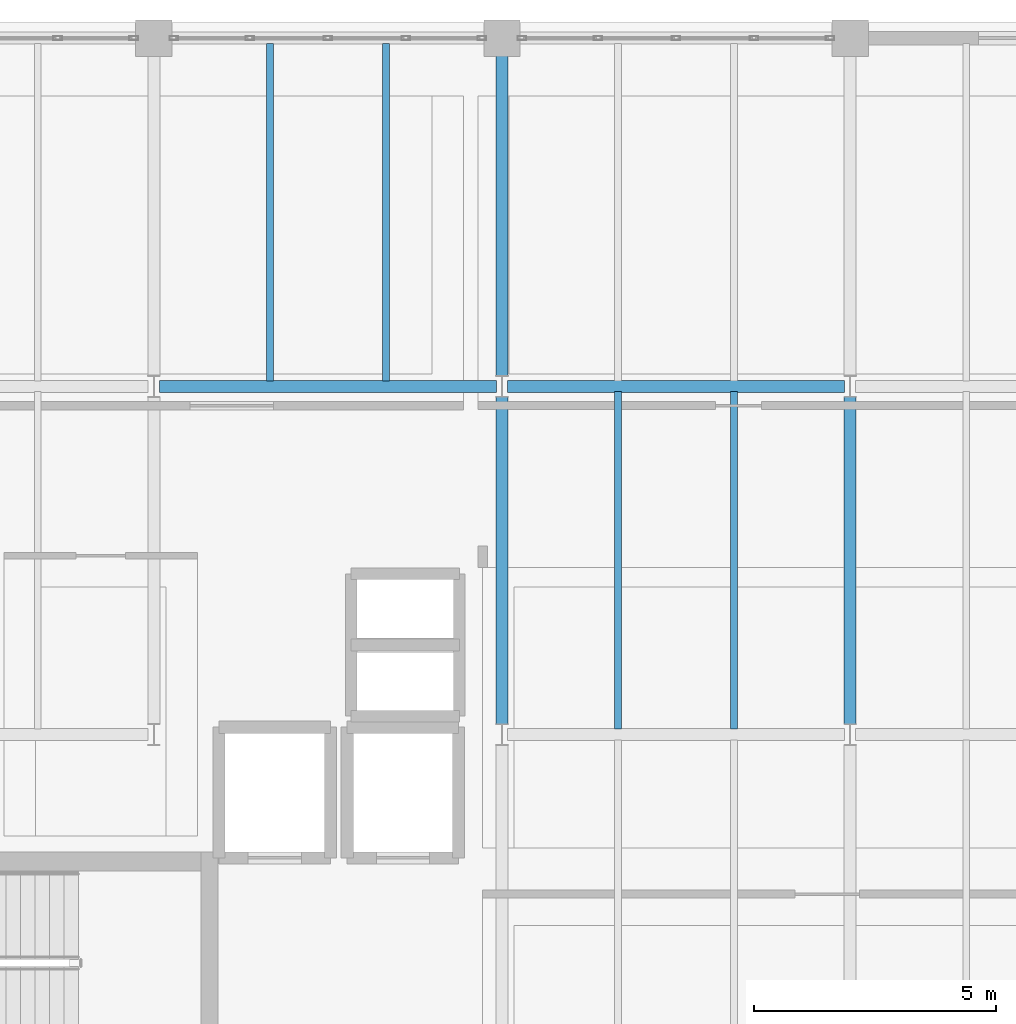
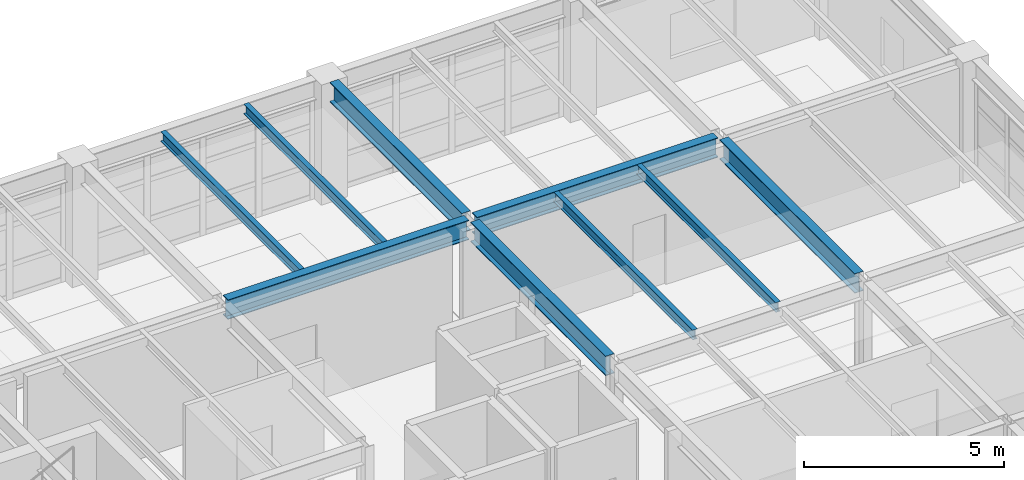
# One storey, part 10 of 24: 9 beams.
"""IFC4 building model written with IfcOpenShell, lengths in metres."""

from ifc_helpers import new_model, si_unit, direction, frame, origin, origin_2d, place, context, subcontext, project, spatial, i_section, extrude, material, material_profile, profile_set, type_object, element, save


model = new_model("IFC4")

# Units and contexts
model_context = context("Model", 3, precision=1e-05, world=origin(), true_north=direction((0.0, 1.0)))
body_context = subcontext(model_context, "Body", "Model", "MODEL_VIEW")
ifc_project = project(units=[si_unit("LENGTHUNIT", "METRE"), si_unit("AREAUNIT", "SQUARE_METRE"), si_unit("VOLUMEUNIT", "CUBIC_METRE"), si_unit("PLANEANGLEUNIT", "RADIAN"), si_unit("MASSUNIT", "GRAM", prefix="KILO")], contexts=[model_context])

# Site, building, storey
site_placement = place(None, origin())
site = spatial("IfcSite", under=ifc_project, at=site_placement, CompositionType="ELEMENT")
building_placement = place(site_placement, origin())
building = spatial("IfcBuilding", under=site, at=building_placement, Name="Kandorven Conservatory and Botanical Research Centre", CompositionType="ELEMENT")
storey_placement = place(building_placement, frame((0.0, 0.0, 21.0)))
storey = spatial("IfcBuildingStorey", under=building, at=storey_placement, Name="L05", CompositionType="ELEMENT", Elevation=21.0)

# Beams
ifc_material_1 = material(Name="Steel S355 (IS 2062 E350)", Category="steel")
ifc_material_profile_1 = material_profile(ifc_material_1, i_section(OverallWidth=0.25, OverallDepth=0.60009765625, WebThickness=0.01171875, FlangeThickness=0.023681640625, at=origin_2d()))
ifc_profile_set_1 = profile_set([ifc_material_profile_1], Name="Steel S355 (IS 2062 E350)")
beam_type_1 = type_object("IfcBeamType", Name="Beam_FG-01", PredefinedType="USERDEFINED", material=ifc_profile_set_1)
beam_1_placement = place(storey_placement, frame((20.514892578125, 27.60009765625, 3.3701171875), z_axis=(1.0, 0.0, 0.0), x_axis=(0.0, 1.0, 0.0)))
element("IfcBeam", 1, at=beam_1_placement, inside=storey, type_object=beam_type_1, Name="Primary girder FG-01 TWR L05", ObjectType="GIRDER", PredefinedType="USERDEFINED", context=body_context, shape_type="SweptSolid", body=[
    extrude(i_section(OverallWidth=0.25, OverallDepth=0.60009765625, WebThickness=0.01171875, FlangeThickness=0.023681640625, at=origin_2d()), origin(), (0.0, 0.0, 1.0), 6.97021484375),
])
beam_2_placement = place(storey_placement, frame((27.715087890625, 27.60009765625, 3.3701171875), z_axis=(1.0, 0.0, 0.0), x_axis=(0.0, 1.0, 0.0)))
element("IfcBeam", 2, at=beam_2_placement, inside=storey, type_object=beam_type_1, Name="Primary girder FG-01 TWR L05", ObjectType="GIRDER", PredefinedType="USERDEFINED", context=body_context, shape_type="SweptSolid", body=[
    extrude(i_section(OverallWidth=0.25, OverallDepth=0.60009765625, WebThickness=0.01171875, FlangeThickness=0.023681640625, at=origin_2d()), origin(), (0.0, 0.0, 1.0), 6.969970703125),
])
beam_3_placement = place(storey_placement, frame((27.60009765625, 20.614990234375, 3.3701171875), z_axis=(0.0, 1.0, 0.0), x_axis=(-1.0, 0.0, 0.0)))
element("IfcBeam", 3, at=beam_3_placement, inside=storey, type_object=beam_type_1, Name="Primary girder FG-01 TWR L05", ObjectType="GIRDER", PredefinedType="USERDEFINED", context=body_context, shape_type="SweptSolid", body=[
    extrude(i_section(OverallWidth=0.25, OverallDepth=0.60009765625, WebThickness=0.01171875, FlangeThickness=0.023681640625, at=origin_2d()), origin(), (0.0, 0.0, 1.0), 6.77001953125),
])
beam_4_placement = place(storey_placement, frame((27.60009765625, 27.81494140625, 3.3701171875), z_axis=(0.0, 1.0, 0.0), x_axis=(-1.0, 0.0, 0.0)))
element("IfcBeam", 4, at=beam_4_placement, inside=storey, type_object=beam_type_1, Name="Primary girder FG-01 TWR L05", ObjectType="GIRDER", PredefinedType="USERDEFINED", context=body_context, shape_type="SweptSolid", body=[
    extrude(i_section(OverallWidth=0.25, OverallDepth=0.60009765625, WebThickness=0.01171875, FlangeThickness=0.023681640625, at=origin_2d()), origin(), (0.0, 0.0, 1.0), 6.6201171875),
])
beam_5_placement = place(storey_placement, frame((34.800048828125, 20.614990234375, 3.3701171875), z_axis=(0.0, 1.0, 0.0), x_axis=(-1.0, 0.0, 0.0)))
element("IfcBeam", 5, at=beam_5_placement, inside=storey, type_object=beam_type_1, Name="Primary girder FG-01 TWR L05", ObjectType="GIRDER", PredefinedType="USERDEFINED", context=body_context, shape_type="SweptSolid", body=[
    extrude(i_section(OverallWidth=0.25, OverallDepth=0.60009765625, WebThickness=0.01171875, FlangeThickness=0.023681640625, at=origin_2d()), origin(), (0.0, 0.0, 1.0), 6.77001953125),
])
ifc_material_2 = material(Name="Steel S355 (IS 2062 E350)", Category="steel")
ifc_material_profile_2 = material_profile(ifc_material_2, i_section(OverallWidth=0.139892578125, OverallDepth=0.300048828125, WebThickness=0.0078125, FlangeThickness=0.01318359375, at=origin_2d()))
ifc_profile_set_2 = profile_set([ifc_material_profile_2], Name="Steel S355 (IS 2062 E350)")
beam_type_2 = type_object("IfcBeamType", Name="Beam_SB-07", PredefinedType="BEAM", material=ifc_profile_set_2)
for number, where, z_axis, x_axis, name in (
    (6, (22.800048828125, 27.7099609375, 3.52001953125), (0.0, 1.0, 0.0), (-1.0, 0.0, 0.0), "Composite secondary beam SB-07 TWR L05"),
    (7, (25.199951171875, 27.7099609375, 3.52001953125), (0.0, 1.0, 0.0), (-1.0, 0.0, 0.0), "Composite secondary beam SB-07 TWR L05"),
    (8, (30.0, 20.510009765625, 3.52001953125), (0.0, 1.0, 0.0), (-1.0, 0.0, 0.0), "Composite secondary beam SB-07 TWR L05"),
    (9, (32.39990234375, 20.510009765625, 3.52001953125), (0.0, 1.0, 0.0), (-1.0, 0.0, 0.0), "Composite secondary beam SB-07 TWR L05"),
):
    element("IfcBeam", number, at=place(storey_placement, frame(where, z_axis=z_axis, x_axis=x_axis)), inside=storey, type_object=beam_type_2, Name=name, PredefinedType="BEAM", context=body_context, shape_type="SweptSolid", body=[
        extrude(i_section(OverallWidth=0.139892578125, OverallDepth=0.300048828125, WebThickness=0.0078125, FlangeThickness=0.01318359375, at=origin_2d()), origin(), (0.0, 0.0, 1.0), 6.97998046875),
    ])

save(model, "model.ifc")
